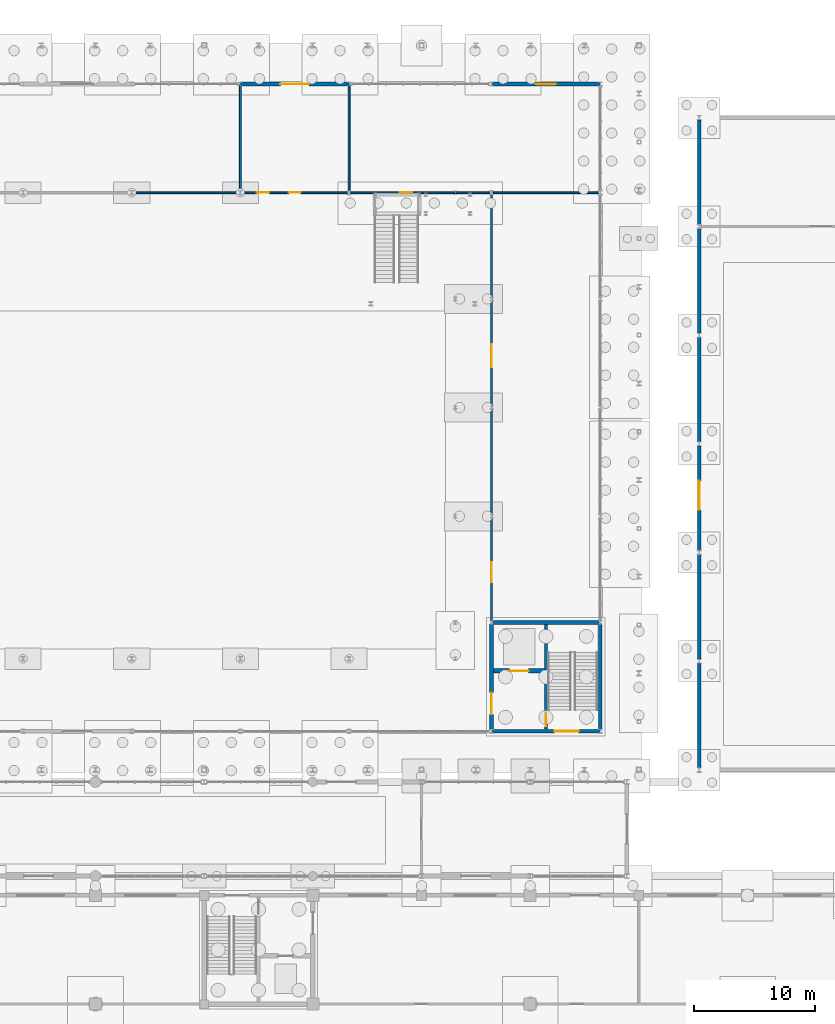
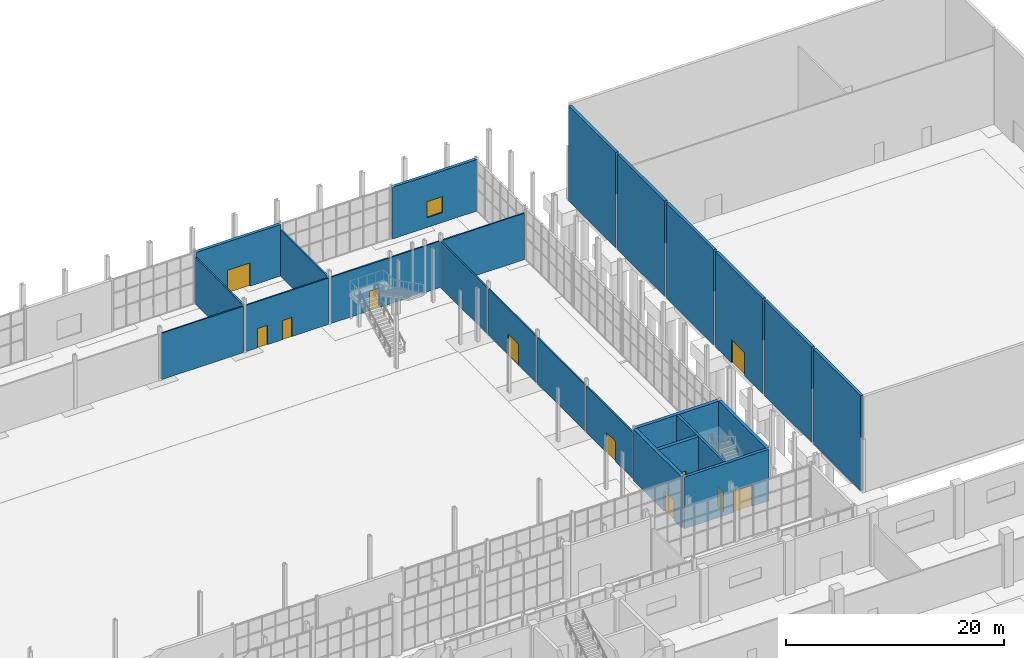
# One storey, part 106 of 131: 24 walls, 11 doors, 1 window, 12 openings.
"""IFC4 building model written with IfcOpenShell, lengths in metres."""

from ifc_helpers import new_model, si_unit, direction, frame, frame_2d, origin, place, context, subcontext, project, spatial, rectangle, extrude, material, layer, layer_set, type_object, element, fill, save


model = new_model("IFC4")

# Units and contexts
model_context = context("Model", 3, precision=1e-05, world=origin(), true_north=direction((0.0, 1.0)))
body_context = subcontext(model_context, "Body", "Model", "MODEL_VIEW")
ifc_project = project(units=[si_unit("LENGTHUNIT", "METRE"), si_unit("AREAUNIT", "SQUARE_METRE"), si_unit("VOLUMEUNIT", "CUBIC_METRE"), si_unit("PLANEANGLEUNIT", "RADIAN"), si_unit("MASSUNIT", "GRAM", prefix="KILO")], contexts=[model_context])

# Site, building, storey
site_placement = place(None, origin())
site = spatial("IfcSite", under=ifc_project, at=site_placement, CompositionType="ELEMENT")
building_placement = place(site_placement, origin())
building = spatial("IfcBuilding", under=site, at=building_placement, Name="Cazmaro Siding Exhibition Halls", CompositionType="ELEMENT")
storey_placement = place(building_placement, origin())
storey = spatial("IfcBuildingStorey", under=building, at=storey_placement, Name="L00", CompositionType="ELEMENT", Elevation=0.0)

# Wall, opening, door
ifc_material_1 = material(Name="Concrete f'c 45 MPa", Category="concrete")
ifc_layer_1 = layer(ifc_material_1, 0.320068359375)
ifc_layer_set_1 = layer_set([ifc_layer_1], Name="Concrete f'c 45 MPa")
wall_type_1 = type_object("IfcWallType", Name="EW-01", PredefinedType="STANDARD", material=ifc_layer_set_1)
wall_1_placement = place(storey_placement, frame((138.011962890625, 120.800048828125, 0.0), z_axis=(0.0, 0.0, 1.0), x_axis=(1.0, 0.0, 0.0)))
wall_1 = element("IfcWall", 1, at=wall_1_placement, inside=storey, type_object=wall_type_1, Name="Hall A North Wall EW-01 WL-E0024", PredefinedType="STANDARD", context=body_context, shape_type="SweptSolid", body=[
    extrude(rectangle(XDim=8.97607421875, YDim=0.320068359375, at=frame_2d((4.488037109375, 0.0))), origin(), (0.0, 0.0, 1.0), 5.780029296875),
])
opening_1_placement = place(wall_1_placement, frame((3.2880859375, 0.0, 0.0)))
opening_1 = element("IfcOpeningElement", 2, at=opening_1_placement, cuts=wall_1, Name="Opening D-E011", PredefinedType="OPENING", context=body_context, shape_type="SweptSolid", body=[
    extrude(rectangle(XDim=2.39990234375, YDim=2.60009765625, at=frame_2d((1.199951171875, 1.300048828125))), frame((0.0, 0.169921875, 0.0), z_axis=(0.0, -1.0, 0.0), x_axis=(1.0, 0.0, 0.0)), (0.0, 0.0, 1.0), 0.340087890625),
])
ifc_material_2 = material(Name="Anodized Bronze Glazed Entrance Door", Category="aluminium")
door_type_1 = type_object("IfcDoorType", Name="ED-02", OperationType="DOUBLE_DOOR_SINGLE_SWING", PredefinedType="DOOR", material=ifc_material_2)
door_1_placement = place(opening_1_placement, origin())
door_1 = element("IfcDoor", 3, at=door_1_placement, inside=storey, type_object=door_type_1, Name="Exterior door D-E011 (ED-02)", OperationType="DOUBLE_DOOR_SINGLE_SWING", OverallHeight=2.60009765625, OverallWidth=2.39990234375, PredefinedType="DOOR", context=body_context, shape_type="SweptSolid", body=[
    extrude(rectangle(XDim=2.39990234375, YDim=2.60009765625, at=frame_2d((1.199951171875, 1.300048828125))), frame((0.0, 0.02490234375, 0.0), z_axis=(0.0, -1.0, 0.0), x_axis=(1.0, 0.0, 0.0)), (0.0, 0.0, 1.0), 0.050048828125),
])
fill(opening_1, door_1)

wall_2_placement = place(storey_placement, frame((167.7880859375, 67.199951171875, 0.0), z_axis=(0.0, 0.0, 1.0), x_axis=(-1.0, 0.0, 0.0)))
wall_2 = element("IfcWall", 4, at=wall_2_placement, inside=storey, type_object=wall_type_1, Name="Hall A South Core Bay Wall EW-01 WL-E0026", PredefinedType="STANDARD", context=body_context, shape_type="SweptSolid", body=[
    extrude(rectangle(XDim=8.97607421875, YDim=0.320068359375, at=frame_2d((4.488037109375, 0.0))), origin(), (0.0, 0.0, 1.0), 5.780029296875),
])
opening_2_placement = place(wall_2_placement, frame((1.77587890625, 0.0, 0.0)))
opening_2 = element("IfcOpeningElement", 5, at=opening_2_placement, cuts=wall_2, Name="Opening D-E012", PredefinedType="OPENING", context=body_context, shape_type="SweptSolid", body=[
    extrude(rectangle(XDim=2.0, YDim=2.39990234375, at=frame_2d((1.0, 1.199951171875))), frame((0.0, 0.169921875, 0.0), z_axis=(0.0, -1.0, 0.0), x_axis=(1.0, 0.0, 0.0)), (0.0, 0.0, 1.0), 0.340087890625),
])
ifc_material_3 = material(Name="Anodized Bronze Glazed Entrance Door", Category="aluminium")
door_type_2 = type_object("IfcDoorType", Name="ED-01", OperationType="DOUBLE_DOOR_SINGLE_SWING", PredefinedType="DOOR", material=ifc_material_3)
door_2_placement = place(opening_2_placement, origin())
door_2 = element("IfcDoor", 6, at=door_2_placement, inside=storey, type_object=door_type_2, Name="Exterior door D-E012 (ED-01)", OperationType="DOUBLE_DOOR_SINGLE_SWING", OverallHeight=2.39990234375, OverallWidth=2.0, PredefinedType="DOOR", context=body_context, shape_type="SweptSolid", body=[
    extrude(rectangle(XDim=2.0, YDim=2.39990234375, at=frame_2d((1.0, 1.199951171875))), frame((0.0, 0.02490234375, 0.0), z_axis=(0.0, -1.0, 0.0), x_axis=(1.0, 0.0, 0.0)), (0.0, 0.0, 1.0), 0.050048828125),
])
fill(opening_2, door_2)

# Wall, opening, window
wall_3_placement = place(storey_placement, frame((158.81201171875, 120.800048828125, 0.0), z_axis=(0.0, 0.0, 1.0), x_axis=(1.0, 0.0, 0.0)))
wall_3 = element("IfcWall", 7, at=wall_3_placement, inside=storey, type_object=wall_type_1, Name="Hall A North Wall EW-01 WL-E0029", PredefinedType="STANDARD", context=body_context, shape_type="SweptSolid", body=[
    extrude(rectangle(XDim=8.97607421875, YDim=0.320068359375, at=frame_2d((4.488037109375, 0.0))), origin(), (0.0, 0.0, 1.0), 5.780029296875),
])
opening_3_placement = place(wall_3_placement, frame((3.6630859375, 0.0, 1.10009765625)))
opening_3 = element("IfcOpeningElement", 8, at=opening_3_placement, cuts=wall_3, Name="Opening W-017", PredefinedType="OPENING", context=body_context, shape_type="SweptSolid", body=[
    extrude(rectangle(XDim=1.64990234375, YDim=1.800048828125, at=frame_2d((0.824951171875, 0.89990234375))), frame((0.0, 0.169921875, 0.0), z_axis=(0.0, -1.0, 0.0), x_axis=(1.0, 0.0, 0.0)), (0.0, 0.0, 1.0), 0.340087890625),
])
ifc_material_4 = material(Name="Thermally Broken Aluminum Low-E Window Unit", Category="aluminium")
window_type = type_object("IfcWindowType", Name="WT-02", PartitioningType="SINGLE_PANEL", PredefinedType="WINDOW", material=ifc_material_4)
window_placement = place(opening_3_placement, origin())
window = element("IfcWindow", 9, at=window_placement, inside=storey, type_object=window_type, Name="Window W-017 (WT-02)", OverallHeight=1.800048828125, OverallWidth=1.64990234375, PartitioningType="SINGLE_PANEL", PredefinedType="WINDOW", context=body_context, shape_type="SweptSolid", body=[
    extrude(rectangle(XDim=1.64990234375, YDim=1.800048828125, at=frame_2d((0.824951171875, 0.89990234375))), frame((0.0, 0.030029296875, 0.0), z_axis=(0.0, -1.0, 0.0), x_axis=(1.0, 0.0, 0.0)), (0.0, 0.0, 1.0), 0.06005859375),
])
fill(opening_3, window)

# Walls
wall_4_placement = place(storey_placement, frame((167.800048828125, 76.073974609375, 0.0), z_axis=(0.0, 0.0, 1.0), x_axis=(0.0, -1.0, 0.0)))
element("IfcWall", 10, at=wall_4_placement, inside=storey, type_object=wall_type_1, Name="Hall A Core End Wall L00 EW-01 WL-E0033", PredefinedType="STANDARD", context=body_context, shape_type="SweptSolid", body=[
    extrude(rectangle(XDim=8.72705078125, YDim=0.320068359375, at=frame_2d((4.363525390625, 0.0))), origin(), (0.0, 0.0, 1.0), 5.780029296875),
])
ifc_material_5 = material(Name="Concrete f'c 45 MPa", Category="concrete")
ifc_layer_2 = layer(ifc_material_5, 0.300048828125)
ifc_layer_set_2 = layer_set([ifc_layer_2], Name="Concrete f'c 45 MPa")
wall_type_2 = type_object("IfcWallType", Name="EW-03", PredefinedType="STANDARD", material=ifc_layer_set_2)
for number, where, z_axis, x_axis, name in (
    (11, (176.0, 64.172119140625, 0.0), (0.0, 0.0, 1.0), (0.0, 1.0, 0.0), "Sawtooth Pavilion West Passage Wall EW-03 WL-E0157"),
    (12, (176.0, 73.172119140625, 0.0), (0.0, 0.0, 1.0), (0.0, 1.0, 0.0), "Sawtooth Pavilion West Passage Wall EW-03 WL-E0159"),
):
    element("IfcWall", number, at=place(storey_placement, frame(where, z_axis=z_axis, x_axis=x_axis)), inside=storey, type_object=wall_type_2, Name=name, PredefinedType="STANDARD", context=body_context, shape_type="SweptSolid", body=[
        extrude(rectangle(XDim=8.65576171875, YDim=0.300048828125, at=frame_2d((4.327880859375, 0.0))), origin(), (0.0, 0.0, 1.0), 10.679931640625),
    ])

# Wall, opening, door
wall_5_placement = place(storey_placement, frame((176.0, 82.172119140625, 0.0), z_axis=(0.0, 0.0, 1.0), x_axis=(0.0, 1.0, 0.0)))
wall_5 = element("IfcWall", 13, at=wall_5_placement, inside=storey, type_object=wall_type_2, Name="Sawtooth Pavilion West Passage Wall EW-03 WL-E0161", PredefinedType="STANDARD", context=body_context, shape_type="SweptSolid", body=[
    extrude(rectangle(XDim=8.65576171875, YDim=0.300048828125, at=frame_2d((4.327880859375, 0.0))), origin(), (0.0, 0.0, 1.0), 10.679931640625),
])
opening_4_placement = place(wall_5_placement, frame((3.35595703125, 0.0, 0.0)))
opening_4 = element("IfcOpeningElement", 14, at=opening_4_placement, cuts=wall_5, Name="Opening D-E033", PredefinedType="OPENING", context=body_context, shape_type="SweptSolid", body=[
    extrude(rectangle(XDim=2.39990234375, YDim=2.60009765625, at=frame_2d((1.199951171875, 1.300048828125))), frame((0.0, 0.159912109375, 0.0), z_axis=(0.0, -1.0, 0.0), x_axis=(1.0, 0.0, 0.0)), (0.0, 0.0, 1.0), 0.320068359375),
])
door_3_placement = place(opening_4_placement, origin())
door_3 = element("IfcDoor", 15, at=door_3_placement, inside=storey, type_object=door_type_1, Name="Exterior door D-E033 (ED-02)", OperationType="DOUBLE_DOOR_SINGLE_SWING", OverallHeight=2.60009765625, OverallWidth=2.39990234375, PredefinedType="DOOR", context=body_context, shape_type="SweptSolid", body=[
    extrude(rectangle(XDim=2.39990234375, YDim=2.60009765625, at=frame_2d((1.199951171875, 1.300048828125))), frame((0.0, 0.02490234375, 0.0), z_axis=(0.0, -1.0, 0.0), x_axis=(1.0, 0.0, 0.0)), (0.0, 0.0, 1.0), 0.050048828125),
])
fill(opening_4, door_3)

# Walls
for number, where, z_axis, x_axis, name in (
    (16, (176.0, 91.172119140625, 0.0), (0.0, 0.0, 1.0), (0.0, 1.0, 0.0), "Sawtooth Pavilion West Passage Wall EW-03 WL-E0163"),
    (17, (176.0, 100.172119140625, 0.0), (0.0, 0.0, 1.0), (0.0, 1.0, 0.0), "Sawtooth Pavilion West Passage Wall EW-03 WL-E0165"),
    (18, (176.0, 109.172119140625, 0.0), (0.0, 0.0, 1.0), (0.0, 1.0, 0.0), "Sawtooth Pavilion West Passage Wall EW-03 WL-E0167"),
):
    element("IfcWall", number, at=place(storey_placement, frame(where, z_axis=z_axis, x_axis=x_axis)), inside=storey, type_object=wall_type_2, Name=name, PredefinedType="STANDARD", context=body_context, shape_type="SweptSolid", body=[
        extrude(rectangle(XDim=8.65576171875, YDim=0.300048828125, at=frame_2d((4.327880859375, 0.0))), origin(), (0.0, 0.0, 1.0), 10.679931640625),
    ])
ifc_material_6 = material(Name="Fire-Rated Gypsum Board on Cold-Formed Steel Studs", Category="steel")
ifc_layer_3 = layer(ifc_material_6, 0.14501953125)
ifc_layer_set_3 = layer_set([ifc_layer_3], Name="Fire-Rated Gypsum Board on Cold-Formed Steel Studs")
wall_type_3 = type_object("IfcWallType", Name="PW-01", PredefinedType="PARTITIONING", material=ifc_layer_set_3)
wall_6_placement = place(storey_placement, frame((129.14697265625, 111.800048828125, 0.0), z_axis=(0.0, 0.0, 1.0), x_axis=(1.0, 0.0, 0.0)))
element("IfcWall", 19, at=wall_6_placement, inside=storey, type_object=wall_type_3, Name="Hall A North Service Partition PW-01 WL-I0132", PredefinedType="PARTITIONING", context=body_context, shape_type="SweptSolid", body=[
    extrude(rectangle(XDim=8.7060546875, YDim=0.14501953125, at=frame_2d((4.35302734375, 0.0))), origin(), (0.0, 0.0, 1.0), 5.199951171875),
])

# Wall, openings, doors
wall_7_placement = place(storey_placement, frame((138.14697265625, 111.800048828125, 0.0), z_axis=(0.0, 0.0, 1.0), x_axis=(1.0, 0.0, 0.0)))
wall_7 = element("IfcWall", 20, at=wall_7_placement, inside=storey, type_object=wall_type_3, Name="Hall A North Service Partition PW-01 WL-I0133", PredefinedType="PARTITIONING", context=body_context, shape_type="SweptSolid", body=[
    extrude(rectangle(XDim=8.7060546875, YDim=0.14501953125, at=frame_2d((4.35302734375, 0.0))), origin(), (0.0, 0.0, 1.0), 5.199951171875),
])
opening_5_placement = place(wall_7_placement, frame((3.863037109375, 0.0, 0.0)))
opening_5 = element("IfcOpeningElement", 21, at=opening_5_placement, cuts=wall_7, Name="Opening D-I061", PredefinedType="OPENING", context=body_context, shape_type="SweptSolid", body=[
    extrude(rectangle(XDim=0.97998046875, YDim=2.14990234375, at=frame_2d((0.489990234375, 1.074951171875))), frame((0.0, 0.08251953125, 0.0), z_axis=(0.0, -1.0, 0.0), x_axis=(1.0, 0.0, 0.0)), (0.0, 0.0, 1.0), 0.1650390625),
])
opening_6_placement = place(wall_7_placement, frame((1.199951171875, 0.0, 0.0)))
opening_6 = element("IfcOpeningElement", 22, at=opening_6_placement, cuts=wall_7, Name="Opening D-I062", PredefinedType="OPENING", context=body_context, shape_type="SweptSolid", body=[
    extrude(rectangle(XDim=1.050048828125, YDim=2.179931640625, at=frame_2d((0.52490234375, 1.08984375))), frame((0.0, 0.08251953125, 0.0), z_axis=(0.0, -1.0, 0.0), x_axis=(1.0, 0.0, 0.0)), (0.0, 0.0, 1.0), 0.1650390625),
])
ifc_material_7 = material(Name="Fire-Rated Painted Hollow Metal Door", Category="steel")
door_type_3 = type_object("IfcDoorType", Name="ID-03", OperationType="NOTDEFINED", PredefinedType="DOOR", material=ifc_material_7)
door_4_placement = place(opening_5_placement, origin())
door_4 = element("IfcDoor", 23, at=door_4_placement, inside=storey, type_object=door_type_3, Name="Interior door D-I061 (ID-03)", OperationType="SINGLE_SWING_LEFT", OverallHeight=2.14990234375, OverallWidth=0.97998046875, PredefinedType="DOOR", context=body_context, shape_type="SweptSolid", body=[
    extrude(rectangle(XDim=0.97998046875, YDim=2.14990234375, at=frame_2d((0.489990234375, 1.074951171875))), frame((0.0, 0.02490234375, 0.0), z_axis=(0.0, -1.0, 0.0), x_axis=(1.0, 0.0, 0.0)), (0.0, 0.0, 1.0), 0.050048828125),
])
fill(opening_5, door_4)
ifc_material_8 = material(Name="Fire-Rated Painted Hollow Metal Door", Category="steel")
door_type_4 = type_object("IfcDoorType", Name="ID-06", OperationType="NOTDEFINED", PredefinedType="DOOR", material=ifc_material_8)
door_5_placement = place(opening_6_placement, origin())
door_5 = element("IfcDoor", 24, at=door_5_placement, inside=storey, type_object=door_type_4, Name="Interior door D-I062 (ID-06)", OperationType="SINGLE_SWING_RIGHT", OverallHeight=2.179931640625, OverallWidth=1.050048828125, PredefinedType="DOOR", context=body_context, shape_type="SweptSolid", body=[
    extrude(rectangle(XDim=1.050048828125, YDim=2.179931640625, at=frame_2d((0.52490234375, 1.08984375))), frame((0.0, 0.02490234375, 0.0), z_axis=(0.0, -1.0, 0.0), x_axis=(1.0, 0.0, 0.0)), (0.0, 0.0, 1.0), 0.050048828125),
])
fill(opening_6, door_5)

# Wall, opening, door
wall_8_placement = place(storey_placement, frame((147.14697265625, 111.800048828125, 0.0), z_axis=(0.0, 0.0, 1.0), x_axis=(1.0, 0.0, 0.0)))
wall_8 = element("IfcWall", 25, at=wall_8_placement, inside=storey, type_object=wall_type_3, Name="Hall A North Service Partition PW-01 WL-I0134", PredefinedType="PARTITIONING", context=body_context, shape_type="SweptSolid", body=[
    extrude(rectangle(XDim=11.506103515625, YDim=0.14501953125, at=frame_2d((5.7529296875, 0.0))), origin(), (0.0, 0.0, 1.0), 5.199951171875),
])
opening_7_placement = place(wall_8_placement, frame((4.052978515625, 0.0, 0.0)))
opening_7 = element("IfcOpeningElement", 26, at=opening_7_placement, cuts=wall_8, Name="Opening D-I063", PredefinedType="OPENING", context=body_context, shape_type="SweptSolid", body=[
    extrude(rectangle(XDim=1.050048828125, YDim=2.179931640625, at=frame_2d((0.52490234375, 1.08984375))), frame((0.0, 0.08251953125, 0.0), z_axis=(0.0, -1.0, 0.0), x_axis=(1.0, 0.0, 0.0)), (0.0, 0.0, 1.0), 0.1650390625),
])
door_6_placement = place(opening_7_placement, origin())
door_6 = element("IfcDoor", 27, at=door_6_placement, inside=storey, type_object=door_type_4, Name="Interior door D-I063 (ID-06)", OperationType="SINGLE_SWING_LEFT", OverallHeight=2.179931640625, OverallWidth=1.050048828125, PredefinedType="DOOR", context=body_context, shape_type="SweptSolid", body=[
    extrude(rectangle(XDim=1.050048828125, YDim=2.179931640625, at=frame_2d((0.52490234375, 1.08984375))), frame((0.0, 0.02490234375, 0.0), z_axis=(0.0, -1.0, 0.0), x_axis=(1.0, 0.0, 0.0)), (0.0, 0.0, 1.0), 0.050048828125),
])
fill(opening_7, door_6)

# Wall
wall_9_placement = place(storey_placement, frame((158.947021484375, 111.800048828125, 0.0), z_axis=(0.0, 0.0, 1.0), x_axis=(1.0, 0.0, 0.0)))
element("IfcWall", 28, at=wall_9_placement, inside=storey, type_object=wall_type_3, Name="Hall A North Service Partition PW-01 WL-I0135", PredefinedType="PARTITIONING", context=body_context, shape_type="SweptSolid", body=[
    extrude(rectangle(XDim=8.7060546875, YDim=0.14501953125, at=frame_2d((4.35302734375, 0.0))), origin(), (0.0, 0.0, 1.0), 5.199951171875),
])

# Wall, opening, door
wall_10_placement = place(storey_placement, frame((158.800048828125, 76.326904296875, 0.0), z_axis=(0.0, 0.0, 1.0), x_axis=(0.0, 1.0, 0.0)))
wall_10 = element("IfcWall", 29, at=wall_10_placement, inside=storey, type_object=wall_type_3, Name="Hall A East Desk Partition PW-01 WL-I0140", PredefinedType="PARTITIONING", context=body_context, shape_type="SweptSolid", body=[
    extrude(rectangle(XDim=8.546142578125, YDim=0.14501953125, at=frame_2d((4.27294921875, 0.0))), origin(), (0.0, 0.0, 1.0), 5.199951171875),
])
opening_8_placement = place(wall_10_placement, frame((3.199951171875, 0.0, 0.0)))
opening_8 = element("IfcOpeningElement", 30, at=opening_8_placement, cuts=wall_10, Name="Opening D-I065", PredefinedType="OPENING", context=body_context, shape_type="SweptSolid", body=[
    extrude(rectangle(XDim=1.64990234375, YDim=2.25, at=frame_2d((0.824951171875, 1.125))), frame((0.0, 0.08251953125, 0.0), z_axis=(0.0, -1.0, 0.0), x_axis=(1.0, 0.0, 0.0)), (0.0, 0.0, 1.0), 0.1650390625),
])
ifc_material_9 = material(Name="Fire-Rated Painted Hollow Metal Door", Category="steel")
door_type_5 = type_object("IfcDoorType", Name="ID-05", OperationType="DOUBLE_DOOR_SINGLE_SWING", PredefinedType="DOOR", material=ifc_material_9)
door_7_placement = place(opening_8_placement, origin())
door_7 = element("IfcDoor", 31, at=door_7_placement, inside=storey, type_object=door_type_5, Name="Interior door D-I065 (ID-05)", OperationType="DOUBLE_DOOR_SINGLE_SWING", OverallHeight=2.25, OverallWidth=1.64990234375, PredefinedType="DOOR", context=body_context, shape_type="SweptSolid", body=[
    extrude(rectangle(XDim=1.64990234375, YDim=2.25, at=frame_2d((0.824951171875, 1.125))), frame((0.0, 0.02490234375, 0.0), z_axis=(0.0, -1.0, 0.0), x_axis=(1.0, 0.0, 0.0)), (0.0, 0.0, 1.0), 0.050048828125),
])
fill(opening_8, door_7)

# Wall
wall_11_placement = place(storey_placement, frame((158.800048828125, 85.126953125, 0.0), z_axis=(0.0, 0.0, 1.0), x_axis=(0.0, 1.0, 0.0)))
element("IfcWall", 32, at=wall_11_placement, inside=storey, type_object=wall_type_3, Name="Hall A East Desk Partition PW-01 WL-I0142", PredefinedType="PARTITIONING", context=body_context, shape_type="SweptSolid", body=[
    extrude(rectangle(XDim=8.74609375, YDim=0.14501953125, at=frame_2d((4.373046875, 0.0))), origin(), (0.0, 0.0, 1.0), 5.199951171875),
])

# Wall, opening, door
wall_12_placement = place(storey_placement, frame((158.800048828125, 94.126953125, 0.0), z_axis=(0.0, 0.0, 1.0), x_axis=(0.0, 1.0, 0.0)))
wall_12 = element("IfcWall", 33, at=wall_12_placement, inside=storey, type_object=wall_type_3, Name="Hall A East Desk Partition PW-01 WL-I0144", PredefinedType="PARTITIONING", context=body_context, shape_type="SweptSolid", body=[
    extrude(rectangle(XDim=8.74609375, YDim=0.14501953125, at=frame_2d((4.373046875, 0.0))), origin(), (0.0, 0.0, 1.0), 5.199951171875),
])
opening_9_placement = place(wall_12_placement, frame((3.199951171875, 0.0, 0.0)))
opening_9 = element("IfcOpeningElement", 34, at=opening_9_placement, cuts=wall_12, Name="Opening D-I067", PredefinedType="OPENING", context=body_context, shape_type="SweptSolid", body=[
    extrude(rectangle(XDim=1.919921875, YDim=2.360107421875, at=frame_2d((0.9599609375, 1.18017578125))), frame((0.0, 0.08251953125, 0.0), z_axis=(0.0, -1.0, 0.0), x_axis=(1.0, 0.0, 0.0)), (0.0, 0.0, 1.0), 0.1650390625),
])
ifc_material_10 = material(Name="Fire-Rated Painted Hollow Metal Door", Category="steel")
door_type_6 = type_object("IfcDoorType", Name="ID-11", OperationType="DOUBLE_DOOR_SINGLE_SWING", PredefinedType="DOOR", material=ifc_material_10)
door_8_placement = place(opening_9_placement, origin())
door_8 = element("IfcDoor", 35, at=door_8_placement, inside=storey, type_object=door_type_6, Name="Interior door D-I067 (ID-11)", OperationType="DOUBLE_DOOR_SINGLE_SWING", OverallHeight=2.360107421875, OverallWidth=1.919921875, PredefinedType="DOOR", context=body_context, shape_type="SweptSolid", body=[
    extrude(rectangle(XDim=1.919921875, YDim=2.360107421875, at=frame_2d((0.9599609375, 1.18017578125))), frame((0.0, 0.02490234375, 0.0), z_axis=(0.0, -1.0, 0.0), x_axis=(1.0, 0.0, 0.0)), (0.0, 0.0, 1.0), 0.050048828125),
])
fill(opening_9, door_8)

# Walls
wall_13_placement = place(storey_placement, frame((158.800048828125, 103.126953125, 0.0), z_axis=(0.0, 0.0, 1.0), x_axis=(0.0, 1.0, 0.0)))
element("IfcWall", 36, at=wall_13_placement, inside=storey, type_object=wall_type_3, Name="Hall A East Desk Partition PW-01 WL-I0146", PredefinedType="PARTITIONING", context=body_context, shape_type="SweptSolid", body=[
    extrude(rectangle(XDim=8.525146484375, YDim=0.14501953125, at=frame_2d((4.2626953125, 0.0))), origin(), (0.0, 0.0, 1.0), 5.199951171875),
])
ifc_material_11 = material(Name="Moisture-Resistant Gypsum Board on Acoustic Steel Studs", Category="steel")
ifc_layer_4 = layer(ifc_material_11, 0.1650390625)
ifc_layer_set_4 = layer_set([ifc_layer_4], Name="Moisture-Resistant Gypsum Board on Acoustic Steel Studs")
wall_type_4 = type_object("IfcWallType", Name="PW-02", PredefinedType="PARTITIONING", material=ifc_layer_set_4)
for number, where, z_axis, x_axis, name in (
    (37, (138.0, 111.949951171875, 0.0), (0.0, 0.0, 1.0), (0.0, 1.0, 0.0), "Hall A North Room Divider PW-02 WL-I0137"),
    (38, (147.0, 111.949951171875, 0.0), (0.0, 0.0, 1.0), (0.0, 1.0, 0.0), "Hall A North Room Divider PW-02 WL-I0138"),
):
    element("IfcWall", number, at=place(storey_placement, frame(where, z_axis=z_axis, x_axis=x_axis)), inside=storey, type_object=wall_type_4, Name=name, PredefinedType="PARTITIONING", context=body_context, shape_type="SweptSolid", body=[
        extrude(rectangle(XDim=8.77001953125, YDim=0.1650390625, at=frame_2d((4.385009765625, 0.0))), origin(), (0.0, 0.0, 1.0), 5.199951171875),
    ])

# Wall, opening, door
ifc_material_12 = material(Name="Concrete f'c 50 MPa", Category="concrete")
ifc_layer_5 = layer(ifc_material_12, 0.360107421875)
ifc_layer_set_5 = layer_set([ifc_layer_5], Name="Concrete f'c 50 MPa")
wall_type_5 = type_object("IfcWallType", Name="SW-01", PredefinedType="SHEAR", material=ifc_layer_set_5)
wall_14_placement = place(storey_placement, frame((158.800048828125, 67.347900390625, 0.0), z_axis=(0.0, 0.0, 1.0), x_axis=(0.0, 1.0, 0.0)))
wall_14 = element("IfcWall", 39, at=wall_14_placement, inside=storey, type_object=wall_type_5, Name="Core C2 West Shear Wall SW-01 WL-I0013", PredefinedType="SHEAR", context=body_context, shape_type="SweptSolid", body=[
    extrude(rectangle(XDim=8.72509765625, YDim=0.360107421875, at=frame_2d((4.362548828125, 0.0))), origin(), (0.0, 0.0, 1.0), 5.780029296875),
])
opening_10_placement = place(wall_14_placement, frame((1.251953125, 0.0, 0.0)))
opening_10 = element("IfcOpeningElement", 40, at=opening_10_placement, cuts=wall_14, Name="Opening D-I008", PredefinedType="OPENING", context=body_context, shape_type="SweptSolid", body=[
    extrude(rectangle(XDim=1.800048828125, YDim=2.300048828125, at=frame_2d((0.89990234375, 1.14990234375))), frame((0.0, 0.18994140625, 0.0), z_axis=(0.0, -1.0, 0.0), x_axis=(1.0, 0.0, 0.0)), (0.0, 0.0, 1.0), 0.380126953125),
])
ifc_material_13 = material(Name="Fire-Rated Painted Hollow Metal Door", Category="steel")
door_type_7 = type_object("IfcDoorType", Name="ID-02", OperationType="DOUBLE_DOOR_SINGLE_SWING", PredefinedType="DOOR", material=ifc_material_13)
door_9_placement = place(opening_10_placement, origin())
door_9 = element("IfcDoor", 41, at=door_9_placement, inside=storey, type_object=door_type_7, Name="Interior door D-I008 (ID-02)", OperationType="DOUBLE_DOOR_SINGLE_SWING", OverallHeight=2.300048828125, OverallWidth=1.800048828125, PredefinedType="DOOR", context=body_context, shape_type="SweptSolid", body=[
    extrude(rectangle(XDim=1.800048828125, YDim=2.300048828125, at=frame_2d((0.89990234375, 1.14990234375))), frame((0.0, 0.02490234375, 0.0), z_axis=(0.0, -1.0, 0.0), x_axis=(1.0, 0.0, 0.0)), (0.0, 0.0, 1.0), 0.050048828125),
])
fill(opening_10, door_9)

# Wall
wall_15_placement = place(storey_placement, frame((158.924072265625, 76.199951171875, 0.0), z_axis=(0.0, 0.0, 1.0), x_axis=(1.0, 0.0, 0.0)))
element("IfcWall", 42, at=wall_15_placement, inside=storey, type_object=wall_type_5, Name="Core C2 North Shear Wall SW-01 WL-I0014", PredefinedType="SHEAR", context=body_context, shape_type="SweptSolid", body=[
    extrude(rectangle(XDim=8.751953125, YDim=0.360107421875, at=frame_2d((4.3759765625, 0.0))), origin(), (0.0, 0.0, 1.0), 5.780029296875),
])

# Wall, opening, door
wall_16_placement = place(storey_placement, frame((158.965087890625, 72.199951171875, 0.0), z_axis=(0.0, 0.0, 1.0), x_axis=(1.0, 0.0, 0.0)))
wall_16 = element("IfcWall", 43, at=wall_16_placement, inside=storey, type_object=wall_type_5, Name="Core C2 Lift Shaft Wall SW-01 WL-I0016", PredefinedType="SHEAR", context=body_context, shape_type="SweptSolid", body=[
    extrude(rectangle(XDim=4.219970703125, YDim=0.360107421875, at=frame_2d((2.10986328125, 0.0))), origin(), (0.0, 0.0, 1.0), 5.780029296875),
])
opening_11_placement = place(wall_16_placement, frame((1.31005859375, 0.0, 0.0)))
opening_11 = element("IfcOpeningElement", 44, at=opening_11_placement, cuts=wall_16, Name="Opening LD-004", PredefinedType="OPENING", context=body_context, shape_type="SweptSolid", body=[
    extrude(rectangle(XDim=1.60009765625, YDim=2.39990234375, at=frame_2d((0.800048828125, 1.199951171875))), frame((0.0, 0.18994140625, 0.0), z_axis=(0.0, -1.0, 0.0), x_axis=(1.0, 0.0, 0.0)), (0.0, 0.0, 1.0), 0.380126953125),
])
ifc_material_14 = material(Name="Stainless Steel Elevator Landing Door", Category="steel")
door_type_8 = type_object("IfcDoorType", Name="LD-02", OperationType="DOUBLE_DOOR_SLIDING", PredefinedType="DOOR", material=ifc_material_14)
door_10_placement = place(opening_11_placement, origin())
door_10 = element("IfcDoor", 45, at=door_10_placement, inside=storey, type_object=door_type_8, Name="Interior door LD-004 (LD-02)", OperationType="DOUBLE_DOOR_SLIDING", OverallHeight=2.39990234375, OverallWidth=1.60009765625, PredefinedType="DOOR", context=body_context, shape_type="SweptSolid", body=[
    extrude(rectangle(XDim=1.60009765625, YDim=2.39990234375, at=frame_2d((0.800048828125, 1.199951171875))), frame((0.0, 0.02490234375, 0.0), z_axis=(0.0, -1.0, 0.0), x_axis=(1.0, 0.0, 0.0)), (0.0, 0.0, 1.0), 0.050048828125),
])
fill(opening_11, door_10)

ifc_material_15 = material(Name="Concrete f'c 50 MPa", Category="concrete")
ifc_layer_6 = layer(ifc_material_15, 0.25)
ifc_layer_set_6 = layer_set([ifc_layer_6], Name="Concrete f'c 50 MPa")
wall_type_6 = type_object("IfcWallType", Name="SW-02", PredefinedType="SHEAR", material=ifc_layer_set_6)
wall_17_placement = place(storey_placement, frame((163.300048828125, 76.034912109375, 0.0), z_axis=(0.0, 0.0, 1.0), x_axis=(0.0, -1.0, 0.0)))
wall_17 = element("IfcWall", 46, at=wall_17_placement, inside=storey, type_object=wall_type_6, Name="Core C2 Stair-Lobby Divider SW-02 WL-I0015", PredefinedType="SHEAR", context=body_context, shape_type="SweptSolid", body=[
    extrude(rectangle(XDim=8.669921875, YDim=0.25, at=frame_2d((4.3349609375, 0.0))), origin(), (0.0, 0.0, 1.0), 5.780029296875),
])
opening_12_placement = place(wall_17_placement, frame((7.320068359375, 0.0, 0.0)))
opening_12 = element("IfcOpeningElement", 47, at=opening_12_placement, cuts=wall_17, Name="Opening D-I007", PredefinedType="OPENING", context=body_context, shape_type="SweptSolid", body=[
    extrude(rectangle(XDim=1.10009765625, YDim=2.199951171875, at=frame_2d((0.550048828125, 1.10009765625))), frame((0.0, 0.135009765625, 0.0), z_axis=(0.0, -1.0, 0.0), x_axis=(1.0, 0.0, 0.0)), (0.0, 0.0, 1.0), 0.27001953125),
])
ifc_material_16 = material(Name="Fire-Rated Painted Hollow Metal Door", Category="steel")
door_type_9 = type_object("IfcDoorType", Name="ID-01", OperationType="NOTDEFINED", PredefinedType="DOOR", material=ifc_material_16)
door_11_placement = place(opening_12_placement, origin())
door_11 = element("IfcDoor", 48, at=door_11_placement, inside=storey, type_object=door_type_9, Name="Interior door D-I007 (ID-01)", OperationType="SINGLE_SWING_LEFT", OverallHeight=2.199951171875, OverallWidth=1.10009765625, PredefinedType="DOOR", context=body_context, shape_type="SweptSolid", body=[
    extrude(rectangle(XDim=1.10009765625, YDim=2.199951171875, at=frame_2d((0.550048828125, 1.10009765625))), frame((0.0, 0.02490234375, 0.0), z_axis=(0.0, -1.0, 0.0), x_axis=(1.0, 0.0, 0.0)), (0.0, 0.0, 1.0), 0.050048828125),
])
fill(opening_12, door_11)

save(model, "model.ifc")
